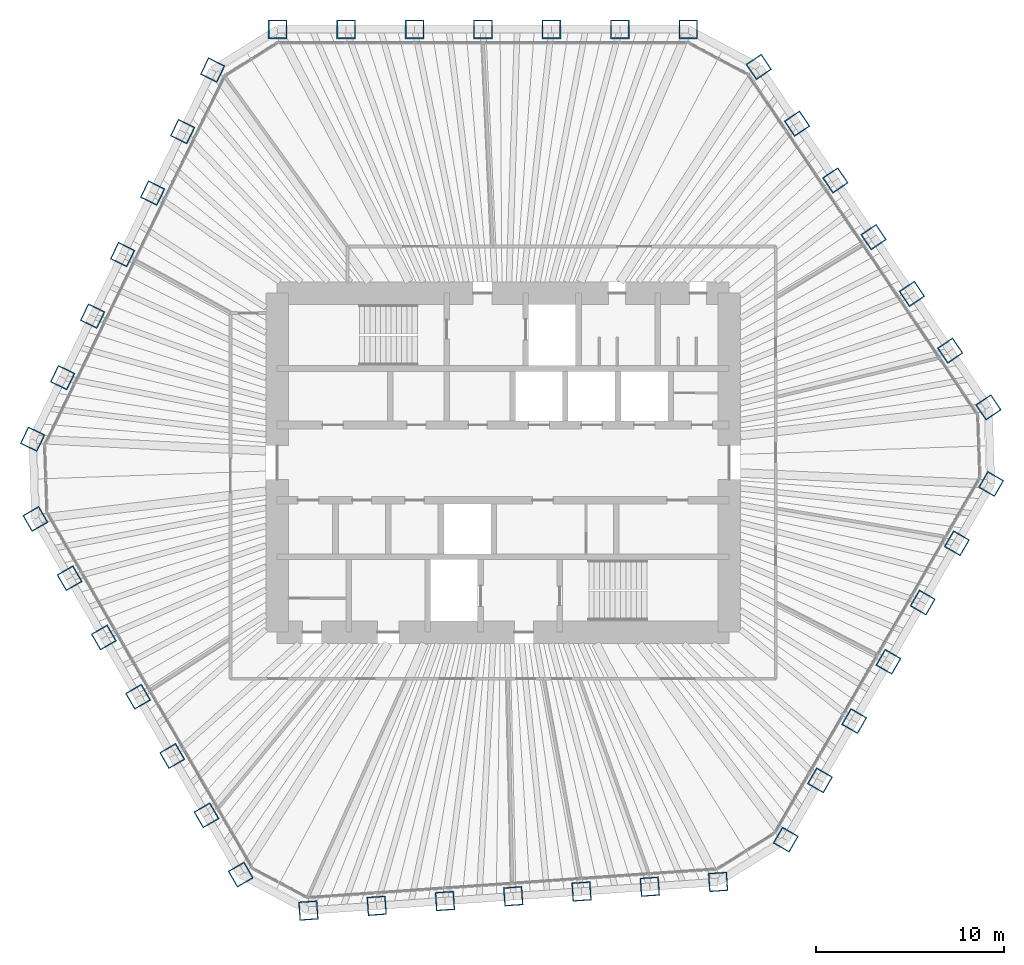
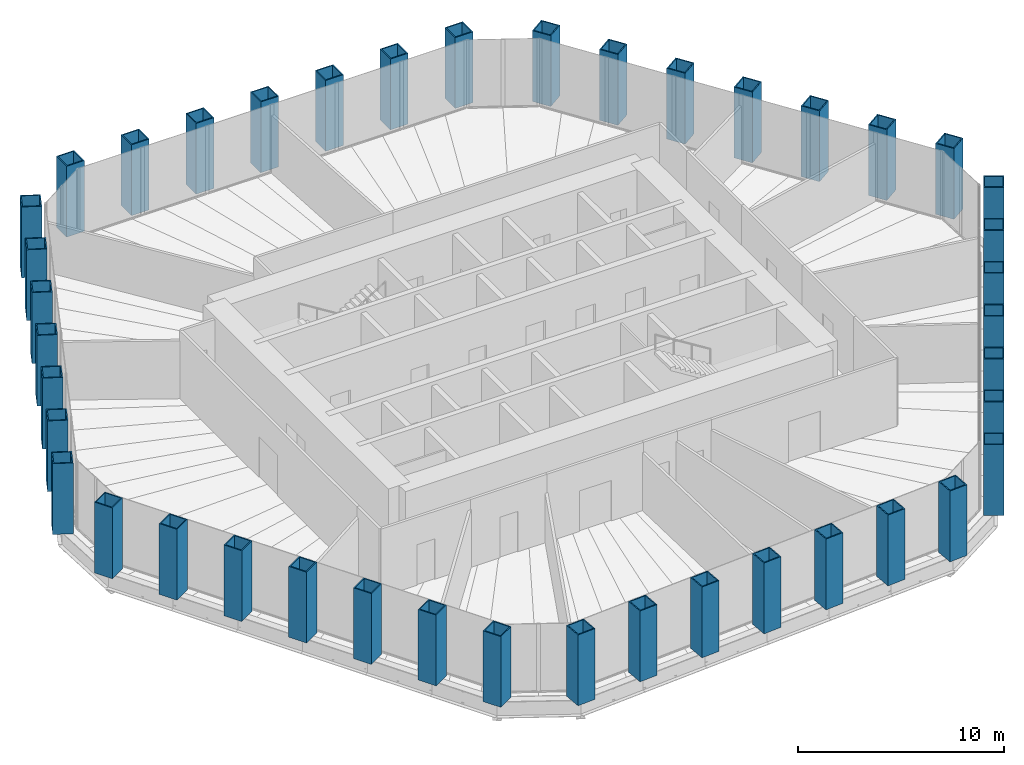
# One storey, part 1 of 13: 42 columns.
"""IFC4 building model written with IfcOpenShell, lengths in metres."""

from ifc_helpers import new_model, si_unit, direction, frame, origin, origin_2d, place, context, subcontext, project, spatial, hollow_rectangle, extrude, material, material_profile, profile_set, type_object, element, save


model = new_model("IFC4")

# Units and contexts
model_context = context("Model", 3, precision=1e-05, world=origin(), true_north=direction((0.0, 1.0)))
body_context = subcontext(model_context, "Body", "Model", "MODEL_VIEW")
ifc_project = project(units=[si_unit("LENGTHUNIT", "METRE"), si_unit("AREAUNIT", "SQUARE_METRE"), si_unit("VOLUMEUNIT", "CUBIC_METRE"), si_unit("PLANEANGLEUNIT", "RADIAN"), si_unit("MASSUNIT", "GRAM", prefix="KILO")], contexts=[model_context])

# Site, building, storey
site_placement = place(None, origin())
site = spatial("IfcSite", under=ifc_project, at=site_placement, CompositionType="ELEMENT")
building_placement = place(site_placement, origin())
building = spatial("IfcBuilding", under=site, at=building_placement, Name="Qingtian Harvest Tower", CompositionType="ELEMENT")
storey_placement = place(building_placement, frame((0.0, 0.0, 230.800048828125)))
storey = spatial("IfcBuildingStorey", under=building, at=storey_placement, Name="L50", CompositionType="ELEMENT", Elevation=230.800048828125)

# Columns
ifc_material = material(Name="Steel SM570MC", Category="steel")
ifc_material_profile = material_profile(ifc_material, hollow_rectangle(XDim=1.0, YDim=1.0, WallThickness=0.06005859375, at=origin_2d()), Name="BOX1000x1000x60")
ifc_profile_set = profile_set([ifc_material_profile], Name="Steel SM570MC")
column_type = type_object("IfcColumnType", Name="Tube column TC6 BOX1000x1000x60", PredefinedType="COLUMN", material=ifc_profile_set)
for number, where, z_axis, x_axis, name in (
    (1, (-11.971923828125, 23.0, 0.0), (0.0, 0.0, 1.0), (-1.0, 0.0, 0.0), "Tube column TC6 N0"),
    (2, (-8.33837890625, 23.0, 0.0), (0.0, 0.0, 1.0), (-1.0, 0.0, 0.0), "Tube column TC6 N1"),
    (3, (-4.704833984375, 23.0, 0.0), (0.0, 0.0, 1.0), (-1.0, 0.0, 0.0), "Tube column TC6 N2"),
    (4, (-1.0712890625, 23.0, 0.0), (0.0, 0.0, 1.0), (-1.0, 0.0, 0.0), "Tube column TC6 N3"),
    (5, (2.562255859375, 23.0, 0.0), (0.0, 0.0, 1.0), (-1.0, 0.0, 0.0), "Tube column TC6 N4"),
    (6, (6.19580078125, 23.0, 0.0), (0.0, 0.0, 1.0), (-1.0, 0.0, 0.0), "Tube column TC6 N5"),
    (7, (9.829345703125, 23.0, 0.0), (0.0, 0.0, 1.0), (-1.0, 0.0, 0.0), "Tube column TC6 N6"),
    (8, (13.5712890625, 21.01025390625, 0.0), (0.0, 0.0, 1.0), (-0.559192903471, 0.829037572555, 0.0), "Tube column TC6 NE0"),
    (9, (15.603271484375, 17.998046875, 0.0), (0.0, 0.0, 1.0), (-0.559192903471, 0.829037572555, 0.0), "Tube column TC6 NE1"),
    (10, (17.635009765625, 14.985595703125, 0.0), (0.0, 0.0, 1.0), (-0.559192903471, 0.829037572555, 0.0), "Tube column TC6 NE2"),
    (11, (19.6669921875, 11.97314453125, 0.0), (0.0, 0.0, 1.0), (-0.559192903471, 0.829037572555, 0.0), "Tube column TC6 NE3"),
    (12, (21.69873046875, 8.9609375, 0.0), (0.0, 0.0, 1.0), (-0.559192903471, 0.829037572555, 0.0), "Tube column TC6 NE4"),
    (13, (23.730712890625, 5.948486328125, 0.0), (0.0, 0.0, 1.0), (-0.559192903471, 0.829037572555, 0.0), "Tube column TC6 NE5"),
    (14, (25.762451171875, 2.936279296875, 0.0), (0.0, 0.0, 1.0), (-0.559192903471, 0.829037572555, 0.0), "Tube column TC6 NE6"),
    (15, (25.904541015625, -1.1318359375, 0.0), (0.0, 0.0, 1.0), (0.5, 0.866025403784, 0.0), "Tube column TC6 SE0"),
    (16, (24.087890625, -4.27880859375, 0.0), (0.0, 0.0, 1.0), (0.5, 0.866025403784, 0.0), "Tube column TC6 SE1"),
    (17, (22.27099609375, -7.425537109375, 0.0), (0.0, 0.0, 1.0), (0.5, 0.866025403784, 0.0), "Tube column TC6 SE2"),
    (18, (20.454345703125, -10.572265625, 0.0), (0.0, 0.0, 1.0), (0.5, 0.866025403784, 0.0), "Tube column TC6 SE3"),
    (19, (18.637451171875, -13.718994140625, 0.0), (0.0, 0.0, 1.0), (0.5, 0.866025403784, 0.0), "Tube column TC6 SE4"),
    (20, (16.82080078125, -16.86572265625, 0.0), (0.0, 0.0, 1.0), (0.5, 0.866025403784, 0.0), "Tube column TC6 SE5"),
    (21, (15.00390625, -20.012451171875, 0.0), (0.0, 0.0, 1.0), (0.5, 0.866025403784, 0.0), "Tube column TC6 SE6"),
    (22, (11.40966796875, -22.25830078125, 0.0), (0.0, 0.0, 1.0), (0.99756405026, 0.069756473744, 0.0), "Tube column TC6 S0"),
    (23, (7.78515625, -22.51171875, 0.0), (0.0, 0.0, 1.0), (0.99756405026, 0.069756473744, 0.0), "Tube column TC6 S1"),
    (24, (4.160400390625, -22.76513671875, 0.0), (0.0, 0.0, 1.0), (0.99756405026, 0.069756473744, 0.0), "Tube column TC6 S2"),
    (25, (0.53564453125, -23.018798828125, 0.0), (0.0, 0.0, 1.0), (0.99756405026, 0.069756473744, 0.0), "Tube column TC6 S3"),
    (26, (-3.089111328125, -23.272216796875, 0.0), (0.0, 0.0, 1.0), (0.99756405026, 0.069756473744, 0.0), "Tube column TC6 S4"),
    (27, (-6.713623046875, -23.525634765625, 0.0), (0.0, 0.0, 1.0), (0.99756405026, 0.069756473744, 0.0), "Tube column TC6 S5"),
    (28, (-10.33837890625, -23.779052734375, 0.0), (0.0, 0.0, 1.0), (0.99756405026, 0.069756473744, 0.0), "Tube column TC6 S6"),
    (29, (-13.9326171875, -21.8681640625, 0.0), (0.0, 0.0, 1.0), (0.5, -0.866025403784, 0.0), "Tube column TC6 SW0"),
    (30, (-15.749267578125, -18.72119140625, 0.0), (0.0, 0.0, 1.0), (0.5, -0.866025403784, 0.0), "Tube column TC6 SW1"),
    (31, (-17.566162109375, -15.574462890625, 0.0), (0.0, 0.0, 1.0), (0.5, -0.866025403784, 0.0), "Tube column TC6 SW2"),
    (32, (-19.3828125, -12.427734375, 0.0), (0.0, 0.0, 1.0), (0.5, -0.866025403784, 0.0), "Tube column TC6 SW3"),
    (33, (-21.19970703125, -9.281005859375, 0.0), (0.0, 0.0, 1.0), (0.5, -0.866025403784, 0.0), "Tube column TC6 SW4"),
    (34, (-23.016357421875, -6.13427734375, 0.0), (0.0, 0.0, 1.0), (0.5, -0.866025403784, 0.0), "Tube column TC6 SW5"),
    (35, (-24.833251953125, -2.987548828125, 0.0), (0.0, 0.0, 1.0), (0.5, -0.866025403784, 0.0), "Tube column TC6 SW6"),
    (36, (-24.981201171875, 1.248046875, 0.0), (0.0, 0.0, 1.0), (-0.438371146789, -0.898794046299, 0.0), "Tube column TC6 NW0"),
    (37, (-23.388427734375, 4.513916015625, 0.0), (0.0, 0.0, 1.0), (-0.438371146789, -0.898794046299, 0.0), "Tube column TC6 NW1"),
    (38, (-21.79541015625, 7.779541015625, 0.0), (0.0, 0.0, 1.0), (-0.438371146789, -0.898794046299, 0.0), "Tube column TC6 NW2"),
    (39, (-20.20263671875, 11.04541015625, 0.0), (0.0, 0.0, 1.0), (-0.438371146789, -0.898794046299, 0.0), "Tube column TC6 NW3"),
    (40, (-18.60986328125, 14.311279296875, 0.0), (0.0, 0.0, 1.0), (-0.438371146789, -0.898794046299, 0.0), "Tube column TC6 NW4"),
    (41, (-17.016845703125, 17.5771484375, 0.0), (0.0, 0.0, 1.0), (-0.438371146789, -0.898794046299, 0.0), "Tube column TC6 NW5"),
    (42, (-15.424072265625, 20.8427734375, 0.0), (0.0, 0.0, 1.0), (-0.438371146789, -0.898794046299, 0.0), "Tube column TC6 NW6"),
):
    element("IfcColumn", number, at=place(storey_placement, frame(where, z_axis=z_axis, x_axis=x_axis)), inside=storey, type_object=column_type, Name=name, PredefinedType="COLUMN", context=body_context, shape_type="SweptSolid", body=[
        extrude(hollow_rectangle(XDim=1.0, YDim=1.0, WallThickness=0.06005859375, at=origin_2d()), origin(), (0.0, 0.0, 1.0), 4.199951171875),
    ])

save(model, "model.ifc")
